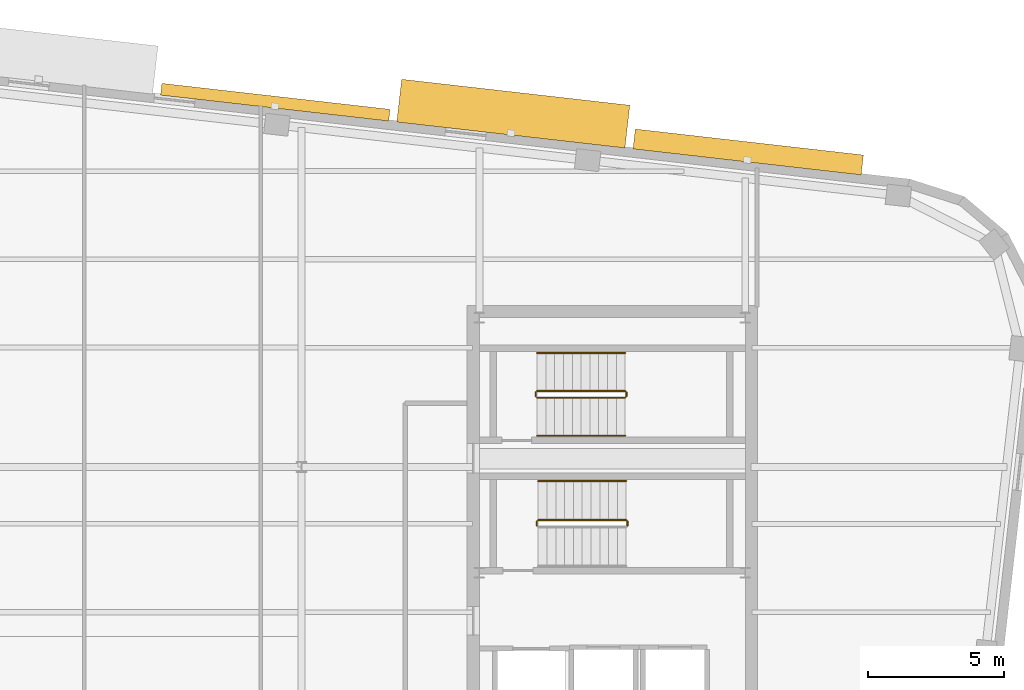
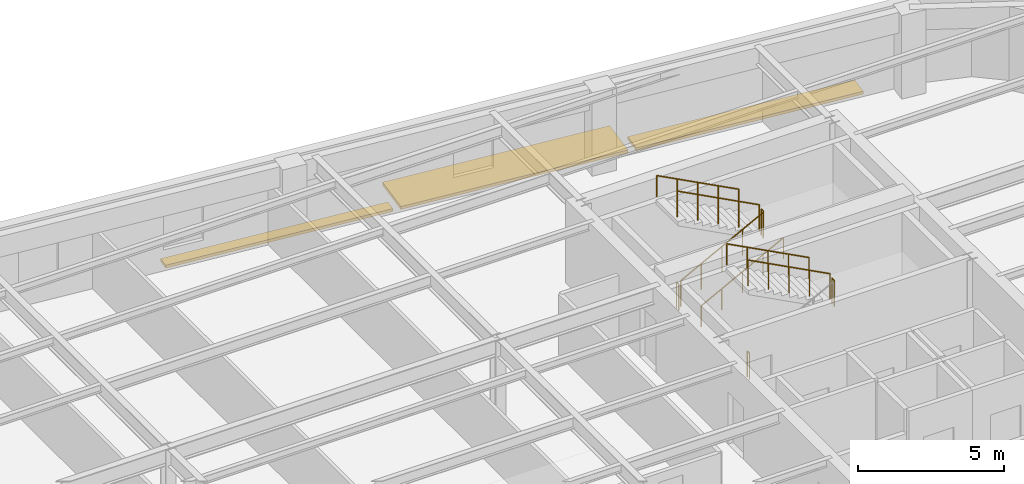
# One storey, part 13 of 13: 10 railings, 3 shading devices.
"""IFC4 building model written with IfcOpenShell, lengths in metres."""

from ifc_helpers import new_model, si_unit, direction, frame, origin, origin_2d, place, context, subcontext, project, spatial, rectangle, circle, extrude, material, type_object, element, save


model = new_model("IFC4")

# Units and contexts
model_context = context("Model", 3, precision=1e-05, world=origin(), true_north=direction((0.0, 1.0)))
body_context = subcontext(model_context, "Body", "Model", "MODEL_VIEW")
ifc_project = project(units=[si_unit("LENGTHUNIT", "METRE"), si_unit("AREAUNIT", "SQUARE_METRE"), si_unit("VOLUMEUNIT", "CUBIC_METRE"), si_unit("PLANEANGLEUNIT", "RADIAN"), si_unit("MASSUNIT", "GRAM", prefix="KILO")], contexts=[model_context])

# Site, building, storey
site_placement = place(None, origin())
site = spatial("IfcSite", under=ifc_project, at=site_placement, CompositionType="ELEMENT")
building_placement = place(site_placement, origin())
building = spatial("IfcBuilding", under=site, at=building_placement, Name="Kolvaren Arena Tower", CompositionType="ELEMENT")
storey_placement = place(building_placement, frame((0.0, 0.0, 243.449951171875)))
storey = spatial("IfcBuildingStorey", under=building, at=storey_placement, Name="L59", CompositionType="ELEMENT", Elevation=243.449951171875)

# Railings
ifc_material_1 = material(Name="Painted galvanized steel", Category="steel")
railing_type_1 = type_object("IfcRailingType", Name="GUARD-ST-110", PredefinedType="GUARDRAIL", material=ifc_material_1)
railing_1_placement = place(storey_placement, frame((56.010009765625, 31.68994140625, 1.875)))
element("IfcRailing", 1, at=railing_1_placement, inside=storey, type_object=railing_type_1, Name="L59 ST-E1 stair guard 2", PredefinedType="GUARDRAIL", context=body_context, shape_type="SweptSolid", body=[
    extrude(circle(Radius=0.02392578125, at=origin_2d()), frame((0.0, 0.0, 1.076171875), z_axis=(0.0, 1.0, 0.0), x_axis=(-1.0, 0.0, 0.0)), (0.0, 0.0, 1.0), 0.150146484375),
    extrude(circle(Radius=0.02099609375, at=origin_2d()), origin(), (0.0, 0.0, 1.0), 1.052001953125),
    extrude(circle(Radius=0.02099609375, at=origin_2d()), frame((0.0, 0.150146484375, 0.0)), (0.0, 0.0, 1.0), 1.052001953125),
])
railing_2_placement = place(storey_placement, frame((55.9599609375, 31.889892578125, 2.04541015625)))
element("IfcRailing", 2, at=railing_2_placement, inside=storey, type_object=railing_type_1, Name="L59 ST-E1 stair guard 3", PredefinedType="GUARDRAIL", context=body_context, shape_type="SweptSolid", body=[
    extrude(circle(Radius=0.02392578125, at=origin_2d()), frame((0.0, 0.0, 1.076171875), z_axis=(-0.884993431791, 0.0, 0.465603506952), x_axis=(0.0, -1.0, 0.0)), (0.0, 0.0, 1.0), 3.6611328125),
    extrude(circle(Radius=0.02099609375, at=origin_2d()), origin(), (0.0, 0.0, 1.0), 1.052001953125),
    extrude(circle(Radius=0.02099609375, at=origin_2d()), frame((-0.81005859375, 0.0, 0.42626953125)), (0.0, 0.0, 1.0), 1.052001953125),
    extrude(circle(Radius=0.02099609375, at=origin_2d()), frame((-1.6201171875, 0.0, 0.852294921875)), (0.0, 0.0, 1.0), 1.052001953125),
    extrude(circle(Radius=0.02099609375, at=origin_2d()), frame((-2.429931640625, 0.0, 1.2783203125)), (0.0, 0.0, 1.0), 1.052001953125),
    extrude(circle(Radius=0.02099609375, at=origin_2d()), frame((-3.239990234375, 0.0, 1.70458984375)), (0.0, 0.0, 1.0), 1.052001953125),
])
railing_3_placement = place(storey_placement, frame((52.669921875, 31.68994140625, 0.0)))
element("IfcRailing", 3, at=railing_3_placement, inside=storey, type_object=railing_type_1, Name="L59 ST-E1 stair guard 4", PredefinedType="GUARDRAIL", context=body_context, shape_type="SweptSolid", body=[
    extrude(circle(Radius=0.02392578125, at=origin_2d()), frame((0.0, 0.0, 1.076171875), z_axis=(0.0, 1.0, 0.0), x_axis=(-1.0, 0.0, 0.0)), (0.0, 0.0, 1.0), 0.150146484375),
    extrude(circle(Radius=0.02099609375, at=origin_2d()), origin(), (0.0, 0.0, 1.0), 1.052001953125),
    extrude(circle(Radius=0.02099609375, at=origin_2d()), frame((0.0, 0.150146484375, 0.0)), (0.0, 0.0, 1.0), 1.052001953125),
])
railing_4_placement = place(storey_placement, frame((52.679931640625, 36.39990234375, 0.17041015625)))
element("IfcRailing", 4, at=railing_4_placement, inside=storey, type_object=railing_type_1, Name="L59 ST-E2 stair guard 1", PredefinedType="GUARDRAIL", context=body_context, shape_type="SweptSolid", body=[
    extrude(circle(Radius=0.02392578125, at=origin_2d()), frame((0.0, 0.0, 1.076171875), z_axis=(0.884993431791, 0.0, 0.465603506952), x_axis=(0.0, 1.0, 0.0)), (0.0, 0.0, 1.0), 3.6611328125),
    extrude(circle(Radius=0.02099609375, at=origin_2d()), origin(), (0.0, 0.0, 1.0), 1.052001953125),
    extrude(circle(Radius=0.02099609375, at=origin_2d()), frame((0.81005859375, 0.0, 0.42626953125)), (0.0, 0.0, 1.0), 1.052001953125),
    extrude(circle(Radius=0.02099609375, at=origin_2d()), frame((1.6201171875, 0.0, 0.852294921875)), (0.0, 0.0, 1.0), 1.052001953125),
    extrude(circle(Radius=0.02099609375, at=origin_2d()), frame((2.429931640625, 0.0, 1.2783203125)), (0.0, 0.0, 1.0), 1.052001953125),
    extrude(circle(Radius=0.02099609375, at=origin_2d()), frame((3.239990234375, 0.0, 1.70458984375)), (0.0, 0.0, 1.0), 1.052001953125),
])
railing_5_placement = place(storey_placement, frame((55.969970703125, 36.449951171875, 1.875)))
element("IfcRailing", 5, at=railing_5_placement, inside=storey, type_object=railing_type_1, Name="L59 ST-E2 stair guard 2", PredefinedType="GUARDRAIL", context=body_context, shape_type="SweptSolid", body=[
    extrude(circle(Radius=0.02392578125, at=origin_2d()), frame((0.0, 0.0, 1.076171875), z_axis=(0.0, 1.0, 0.0), x_axis=(-1.0, 0.0, 0.0)), (0.0, 0.0, 1.0), 0.150146484375),
    extrude(circle(Radius=0.02099609375, at=origin_2d()), origin(), (0.0, 0.0, 1.0), 1.052001953125),
    extrude(circle(Radius=0.02099609375, at=origin_2d()), frame((0.0, 0.150146484375, 0.0)), (0.0, 0.0, 1.0), 1.052001953125),
])
railing_6_placement = place(storey_placement, frame((55.919921875, 36.64990234375, 2.04541015625)))
element("IfcRailing", 6, at=railing_6_placement, inside=storey, type_object=railing_type_1, Name="L59 ST-E2 stair guard 3", PredefinedType="GUARDRAIL", context=body_context, shape_type="SweptSolid", body=[
    extrude(circle(Radius=0.02392578125, at=origin_2d()), frame((0.0, 0.0, 1.076171875), z_axis=(-0.884993431791, 0.0, 0.465603506952), x_axis=(0.0, -1.0, 0.0)), (0.0, 0.0, 1.0), 3.6611328125),
    extrude(circle(Radius=0.02099609375, at=origin_2d()), origin(), (0.0, 0.0, 1.0), 1.052001953125),
    extrude(circle(Radius=0.02099609375, at=origin_2d()), frame((-0.81005859375, 0.0, 0.42626953125)), (0.0, 0.0, 1.0), 1.052001953125),
    extrude(circle(Radius=0.02099609375, at=origin_2d()), frame((-1.6201171875, 0.0, 0.852294921875)), (0.0, 0.0, 1.0), 1.052001953125),
    extrude(circle(Radius=0.02099609375, at=origin_2d()), frame((-2.429931640625, 0.0, 1.2783203125)), (0.0, 0.0, 1.0), 1.052001953125),
    extrude(circle(Radius=0.02099609375, at=origin_2d()), frame((-3.239990234375, 0.0, 1.70458984375)), (0.0, 0.0, 1.0), 1.052001953125),
])
railing_7_placement = place(storey_placement, frame((52.6298828125, 36.449951171875, 0.0)))
element("IfcRailing", 7, at=railing_7_placement, inside=storey, type_object=railing_type_1, Name="L59 ST-E2 stair guard 4", PredefinedType="GUARDRAIL", context=body_context, shape_type="SweptSolid", body=[
    extrude(circle(Radius=0.02392578125, at=origin_2d()), frame((0.0, 0.0, 1.076171875), z_axis=(0.0, 1.0, 0.0), x_axis=(-1.0, 0.0, 0.0)), (0.0, 0.0, 1.0), 0.150146484375),
    extrude(circle(Radius=0.02099609375, at=origin_2d()), origin(), (0.0, 0.0, 1.0), 1.052001953125),
    extrude(circle(Radius=0.02099609375, at=origin_2d()), frame((0.0, 0.150146484375, 0.0)), (0.0, 0.0, 1.0), 1.052001953125),
])
ifc_material_2 = material(Name="Brushed stainless steel handrail", Category="steel")
railing_type_2 = type_object("IfcRailingType", Name="HRAIL-900", PredefinedType="HANDRAIL", material=ifc_material_2)
railing_8_placement = place(storey_placement, frame((55.9599609375, 33.330078125, 2.04541015625)))
element("IfcRailing", 8, at=railing_8_placement, inside=storey, type_object=railing_type_2, Name="L59 ST-E1 stair handrail 2", PredefinedType="HANDRAIL", context=body_context, shape_type="SweptSolid", body=[
    extrude(circle(Radius=0.02392578125, at=origin_2d()), frame((0.0, 0.0, 0.8759765625), z_axis=(-0.884993431791, 0.0, 0.465603506952), x_axis=(0.0, -1.0, 0.0)), (0.0, 0.0, 1.0), 3.6611328125),
    extrude(circle(Radius=0.02099609375, at=origin_2d()), origin(), (0.0, 0.0, 1.0), 0.851806640625),
    extrude(circle(Radius=0.02099609375, at=origin_2d()), frame((-0.81005859375, 0.0, 0.42626953125)), (0.0, 0.0, 1.0), 0.851806640625),
    extrude(circle(Radius=0.02099609375, at=origin_2d()), frame((-1.6201171875, 0.0, 0.852294921875)), (0.0, 0.0, 1.0), 0.851806640625),
    extrude(circle(Radius=0.02099609375, at=origin_2d()), frame((-2.429931640625, 0.0, 1.2783203125)), (0.0, 0.0, 1.0), 0.851806640625),
    extrude(circle(Radius=0.02099609375, at=origin_2d()), frame((-3.239990234375, 0.0, 1.70458984375)), (0.0, 0.0, 1.0), 0.851806640625),
])
railing_9_placement = place(storey_placement, frame((52.679931640625, 35.0, 0.17041015625)))
element("IfcRailing", 9, at=railing_9_placement, inside=storey, type_object=railing_type_2, Name="L59 ST-E2 stair handrail 1", PredefinedType="HANDRAIL", context=body_context, shape_type="SweptSolid", body=[
    extrude(circle(Radius=0.02392578125, at=origin_2d()), frame((0.0, 0.0, 0.8759765625), z_axis=(0.884993431791, 0.0, 0.465603506952), x_axis=(0.0, 1.0, 0.0)), (0.0, 0.0, 1.0), 3.6611328125),
    extrude(circle(Radius=0.02099609375, at=origin_2d()), origin(), (0.0, 0.0, 1.0), 0.851806640625),
    extrude(circle(Radius=0.02099609375, at=origin_2d()), frame((0.81005859375, 0.0, 0.42626953125)), (0.0, 0.0, 1.0), 0.851806640625),
    extrude(circle(Radius=0.02099609375, at=origin_2d()), frame((1.6201171875, 0.0, 0.852294921875)), (0.0, 0.0, 1.0), 0.851806640625),
    extrude(circle(Radius=0.02099609375, at=origin_2d()), frame((2.429931640625, 0.0, 1.2783203125)), (0.0, 0.0, 1.0), 0.851806640625),
    extrude(circle(Radius=0.02099609375, at=origin_2d()), frame((3.239990234375, 0.0, 1.70458984375)), (0.0, 0.0, 1.0), 0.851806640625),
])
railing_10_placement = place(storey_placement, frame((55.919921875, 38.050048828125, 2.04541015625)))
element("IfcRailing", 10, at=railing_10_placement, inside=storey, type_object=railing_type_2, Name="L59 ST-E2 stair handrail 2", PredefinedType="HANDRAIL", context=body_context, shape_type="SweptSolid", body=[
    extrude(circle(Radius=0.02392578125, at=origin_2d()), frame((0.0, 0.0, 0.8759765625), z_axis=(-0.884993431791, 0.0, 0.465603506952), x_axis=(0.0, -1.0, 0.0)), (0.0, 0.0, 1.0), 3.6611328125),
    extrude(circle(Radius=0.02099609375, at=origin_2d()), origin(), (0.0, 0.0, 1.0), 0.851806640625),
    extrude(circle(Radius=0.02099609375, at=origin_2d()), frame((-0.81005859375, 0.0, 0.42626953125)), (0.0, 0.0, 1.0), 0.851806640625),
    extrude(circle(Radius=0.02099609375, at=origin_2d()), frame((-1.6201171875, 0.0, 0.852294921875)), (0.0, 0.0, 1.0), 0.851806640625),
    extrude(circle(Radius=0.02099609375, at=origin_2d()), frame((-2.429931640625, 0.0, 1.2783203125)), (0.0, 0.0, 1.0), 0.851806640625),
    extrude(circle(Radius=0.02099609375, at=origin_2d()), frame((-3.239990234375, 0.0, 1.70458984375)), (0.0, 0.0, 1.0), 0.851806640625),
])

# Shading devices
ifc_material_3 = material(Name="Architectural precast GFRC and anodised aluminium sunshade", Category="concrete")
shading_device_type_1 = type_object("IfcShadingDeviceType", Name="SHAD-SINE-A", PredefinedType="USERDEFINED", material=ifc_material_3)
shading_device_1_placement = place(storey_placement, frame((43.033935546875, 47.2880859375, -0.139892578125), z_axis=(0.0, 0.0, 1.0), x_axis=(0.993571658098, -0.113204947878, 0.0)))
element("IfcShadingDevice", 11, at=shading_device_1_placement, inside=storey, type_object=shading_device_type_1, Name="Sinusoidal Slab-Edge Sunshade Louvre (L59)", ObjectType="LOUVRE", PredefinedType="USERDEFINED", context=body_context, shape_type="SweptSolid", body=[
    extrude(rectangle(XDim=8.4599609375, YDim=0.435546875, at=origin_2d()), origin(), (0.0, 0.0, 1.0), 0.1201171875),
])
shading_device_2_placement = place(storey_placement, frame((60.45849609375, 45.455078125, -0.139892578125), z_axis=(0.0, 0.0, 1.0), x_axis=(0.993571658098, -0.113204947878, 0.0)))
element("IfcShadingDevice", 12, at=shading_device_2_placement, inside=storey, type_object=shading_device_type_1, Name="Sinusoidal Slab-Edge Sunshade Louvre (L59)", ObjectType="LOUVRE", PredefinedType="USERDEFINED", context=body_context, shape_type="SweptSolid", body=[
    extrude(rectangle(XDim=8.4599609375, YDim=0.73828125, at=origin_2d()), origin(), (0.0, 0.0, 1.0), 0.1201171875),
])
shading_device_type_2 = type_object("IfcShadingDeviceType", Name="SHAD-SINE-B", PredefinedType="JALOUSIE", material=ifc_material_3)
shading_device_3_placement = place(storey_placement, frame((51.802734375, 46.86767578125, -0.139892578125), z_axis=(0.0, 0.0, 1.0), x_axis=(0.993571658098, -0.113204947878, 0.0)))
element("IfcShadingDevice", 13, at=shading_device_3_placement, inside=storey, type_object=shading_device_type_2, Name="Sinusoidal Slab-Edge Sunshade Louvre (L59)", PredefinedType="JALOUSIE", context=body_context, shape_type="SweptSolid", body=[
    extrude(rectangle(XDim=8.4599609375, YDim=1.585693359375, at=origin_2d()), origin(), (0.0, 0.0, 1.0), 0.1201171875),
])

save(model, "model.ifc")
